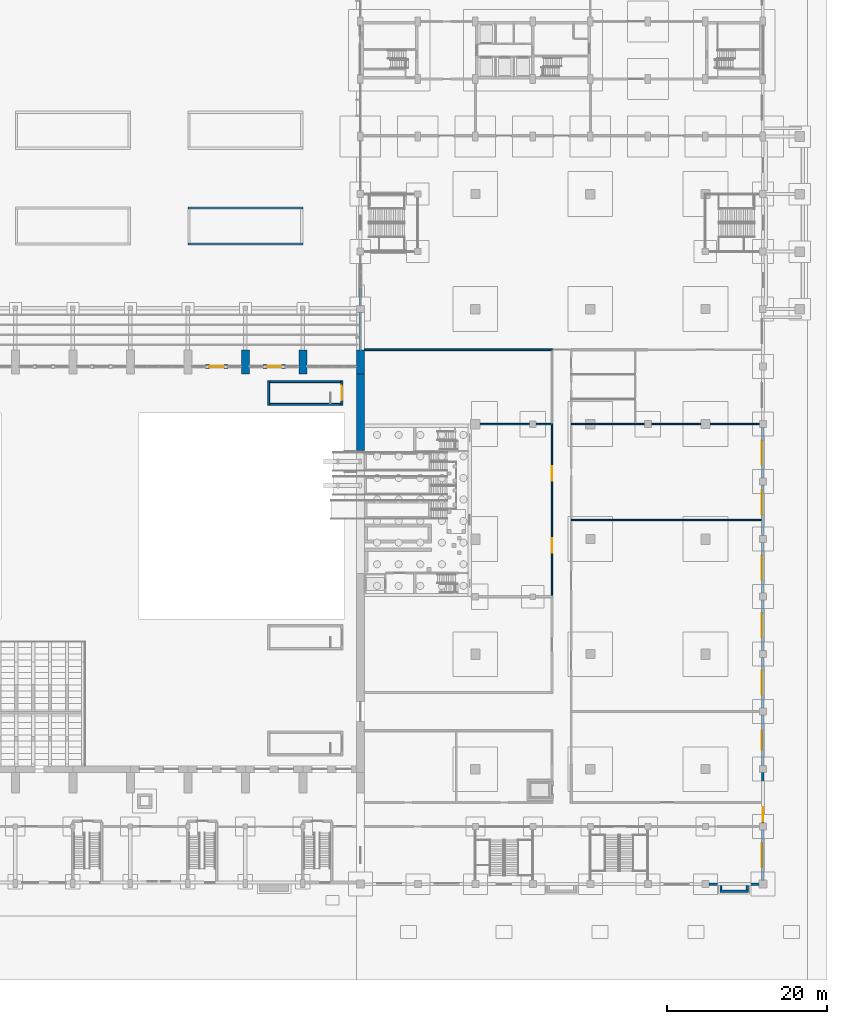
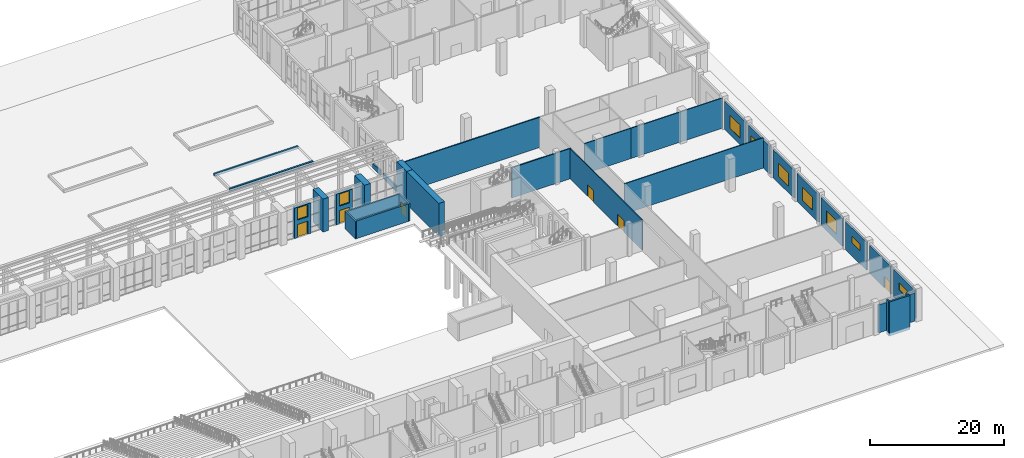
# One storey, part 50 of 70: 32 walls, 9 windows, 6 doors, 15 openings.
"""IFC4 building model written with IfcOpenShell, lengths in metres."""

from ifc_helpers import new_model, si_unit, direction, frame, frame_2d, origin, place, context, subcontext, project, spatial, rectangle, extrude, material, layer, layer_set, type_object, element, fill, save


model = new_model("IFC4")

# Units and contexts
model_context = context("Model", 3, precision=1e-05, world=origin(), true_north=direction((0.0, 1.0)))
body_context = subcontext(model_context, "Body", "Model", "MODEL_VIEW")
ifc_project = project(units=[si_unit("LENGTHUNIT", "METRE"), si_unit("AREAUNIT", "SQUARE_METRE"), si_unit("VOLUMEUNIT", "CUBIC_METRE"), si_unit("PLANEANGLEUNIT", "RADIAN"), si_unit("MASSUNIT", "GRAM", prefix="KILO")], contexts=[model_context])

# Site, building, storey
site_placement = place(None, origin())
site = spatial("IfcSite", under=ifc_project, at=site_placement, CompositionType="ELEMENT")
building_placement = place(site_placement, origin())
building = spatial("IfcBuilding", under=site, at=building_placement, Name="Vermilion Court Aquatics Centre", CompositionType="ELEMENT")
storey_placement = place(building_placement, origin())
storey = spatial("IfcBuildingStorey", under=building, at=storey_placement, Name="L00", CompositionType="ELEMENT", Elevation=0.0)

# Walls
ifc_material_1 = material(Name="Brick masonry", Category="masonry")
ifc_layer_1 = layer(ifc_material_1, 0.300048828125)
ifc_layer_set_1 = layer_set([ifc_layer_1], Name="Court planting kerb 300")
wall_type_1 = type_object("IfcWallType", Name="Court planting kerb 300", PredefinedType="SOLIDWALL", material=ifc_layer_set_1)
for number, where, z_axis, x_axis, name in (
    (1, (122.39990234375, 80.14990234375, 0.0), (0.0, 0.0, 1.0), (1.0, 0.0, 0.0), "Planting bed 4 kerb"),
    (2, (122.39990234375, 84.64990234375, 0.0), (0.0, 0.0, 1.0), (1.0, 0.0, 0.0), "Planting bed 4 kerb"),
):
    element("IfcWall", number, at=place(storey_placement, frame(where, z_axis=z_axis, x_axis=x_axis)), inside=storey, type_object=wall_type_1, Name=name, PredefinedType="SOLIDWALL", context=body_context, shape_type="SweptSolid", body=[
        extrude(rectangle(XDim=14.400146484375, YDim=0.300048828125, at=frame_2d((7.2001953125, 0.0))), origin(), (0.0, 0.0, 1.0), 0.449951171875),
    ])

# Wall, openings, door, window
ifc_material_2 = material(Name="Brick masonry", Category="masonry")
ifc_layer_2 = layer(ifc_material_2, 0.5)
ifc_layer_set_2 = layer_set([ifc_layer_2], Name="Envelope brick north wall 500")
wall_type_2 = type_object("IfcWallType", Name="Envelope brick north wall 500", PredefinedType="SOLIDWALL", material=ifc_layer_set_2)
wall_1_placement = place(storey_placement, frame((124.60009765625, 64.800048828125, 0.0), z_axis=(0.0, 0.0, 1.0), x_axis=(1.0, 0.0, 0.0)))
wall_1 = element("IfcWall", 3, at=wall_1_placement, inside=storey, type_object=wall_type_2, Name="North wall bay 16 L00", PredefinedType="SOLIDWALL", context=body_context, shape_type="SweptSolid", body=[
    extrude(rectangle(XDim=2.7998046875, YDim=0.5, at=frame_2d((1.39990234375, 0.0))), origin(), (0.0, 0.0, 1.0), 5.550048828125),
])
opening_1_placement = place(wall_1_placement, frame((0.5, 0.0, 0.0)))
opening_1 = element("IfcOpeningElement", 4, at=opening_1_placement, cuts=wall_1, Name="Opening E00-013", PredefinedType="OPENING", context=body_context, shape_type="SweptSolid", body=[
    extrude(rectangle(XDim=1.800048828125, YDim=2.39990234375, at=frame_2d((0.89990234375, 1.199951171875))), frame((0.0, 0.260009765625, 0.0), z_axis=(0.0, -1.0, 0.0), x_axis=(1.0, 0.0, 0.0)), (0.0, 0.0, 1.0), 0.52001953125),
])
opening_2_placement = place(wall_1_placement, frame((0.5, 0.0, 3.199951171875)))
opening_2 = element("IfcOpeningElement", 5, at=opening_2_placement, cuts=wall_1, Name="Opening EF1", PredefinedType="OPENING", context=body_context, shape_type="SweptSolid", body=[
    extrude(rectangle(XDim=1.800048828125, YDim=2.199951171875, at=frame_2d((0.89990234375, 1.10009765625))), frame((0.0, 0.260009765625, 0.0), z_axis=(0.0, -1.0, 0.0), x_axis=(1.0, 0.0, 0.0)), (0.0, 0.0, 1.0), 0.52001953125),
])
ifc_material_3 = material(Name="Hollow metal")
door_type_1 = type_object("IfcDoorType", Name="Envelope exit door pair 1800x2400", OperationType="DOUBLE_DOOR_SINGLE_SWING", PredefinedType="DOOR", material=ifc_material_3)
door_1_placement = place(opening_1_placement, origin())
door_1 = element("IfcDoor", 6, at=door_1_placement, inside=storey, type_object=door_type_1, Name="Exit door E00-013", OperationType="DOUBLE_DOOR_SINGLE_SWING", OverallHeight=2.39990234375, OverallWidth=1.800048828125, PredefinedType="DOOR", context=body_context, shape_type="SweptSolid", body=[
    extrude(rectangle(XDim=1.800048828125, YDim=2.39990234375, at=frame_2d((0.89990234375, 1.199951171875))), frame((0.0, 0.02490234375, 0.0), z_axis=(0.0, -1.0, 0.0), x_axis=(1.0, 0.0, 0.0)), (0.0, 0.0, 1.0), 0.050048828125),
])
fill(opening_1, door_1)
ifc_material_4 = material(Name="Aluminium 6063-T5", Category="aluminium")
window_type_1 = type_object("IfcWindowType", Name="Envelope exit fanlight 1800x2200", PartitioningType="SINGLE_PANEL", PredefinedType="WINDOW", material=ifc_material_4)
window_1_placement = place(opening_2_placement, origin())
window_1 = element("IfcWindow", 7, at=window_1_placement, inside=storey, type_object=window_type_1, Name="Exit fanlight bay 16", OverallHeight=2.199951171875, OverallWidth=1.800048828125, PartitioningType="SINGLE_PANEL", PredefinedType="WINDOW", context=body_context, shape_type="SweptSolid", body=[
    extrude(rectangle(XDim=1.800048828125, YDim=2.199951171875, at=frame_2d((0.89990234375, 1.10009765625))), frame((0.0, 0.030029296875, 0.0), z_axis=(0.0, -1.0, 0.0), x_axis=(1.0, 0.0, 0.0)), (0.0, 0.0, 1.0), 0.06005859375),
])
fill(opening_2, window_1)

wall_2_placement = place(storey_placement, frame((131.800048828125, 64.800048828125, 0.0), z_axis=(0.0, 0.0, 1.0), x_axis=(1.0, 0.0, 0.0)))
wall_2 = element("IfcWall", 8, at=wall_2_placement, inside=storey, type_object=wall_type_2, Name="North wall bay 17 L00", PredefinedType="SOLIDWALL", context=body_context, shape_type="SweptSolid", body=[
    extrude(rectangle(XDim=2.800048828125, YDim=0.5, at=frame_2d((1.39990234375, 0.0))), origin(), (0.0, 0.0, 1.0), 5.550048828125),
])
opening_3_placement = place(wall_2_placement, frame((0.5, 0.0, 0.0)))
opening_3 = element("IfcOpeningElement", 9, at=opening_3_placement, cuts=wall_2, Name="Opening E00-014", PredefinedType="OPENING", context=body_context, shape_type="SweptSolid", body=[
    extrude(rectangle(XDim=1.800048828125, YDim=2.39990234375, at=frame_2d((0.89990234375, 1.199951171875))), frame((0.0, 0.260009765625, 0.0), z_axis=(0.0, -1.0, 0.0), x_axis=(1.0, 0.0, 0.0)), (0.0, 0.0, 1.0), 0.52001953125),
])
opening_4_placement = place(wall_2_placement, frame((0.5, 0.0, 3.199951171875)))
opening_4 = element("IfcOpeningElement", 10, at=opening_4_placement, cuts=wall_2, Name="Opening EF1", PredefinedType="OPENING", context=body_context, shape_type="SweptSolid", body=[
    extrude(rectangle(XDim=1.800048828125, YDim=2.199951171875, at=frame_2d((0.89990234375, 1.10009765625))), frame((0.0, 0.260009765625, 0.0), z_axis=(0.0, -1.0, 0.0), x_axis=(1.0, 0.0, 0.0)), (0.0, 0.0, 1.0), 0.52001953125),
])
door_2_placement = place(opening_3_placement, origin())
door_2 = element("IfcDoor", 11, at=door_2_placement, inside=storey, type_object=door_type_1, Name="Exit door E00-014", OperationType="DOUBLE_DOOR_SINGLE_SWING", OverallHeight=2.39990234375, OverallWidth=1.800048828125, PredefinedType="DOOR", context=body_context, shape_type="SweptSolid", body=[
    extrude(rectangle(XDim=1.800048828125, YDim=2.39990234375, at=frame_2d((0.89990234375, 1.199951171875))), frame((0.0, 0.02490234375, 0.0), z_axis=(0.0, -1.0, 0.0), x_axis=(1.0, 0.0, 0.0)), (0.0, 0.0, 1.0), 0.050048828125),
])
fill(opening_3, door_2)
window_2_placement = place(opening_4_placement, origin())
window_2 = element("IfcWindow", 12, at=window_2_placement, inside=storey, type_object=window_type_1, Name="Exit fanlight bay 17", OverallHeight=2.199951171875, OverallWidth=1.800048828125, PartitioningType="SINGLE_PANEL", PredefinedType="WINDOW", context=body_context, shape_type="SweptSolid", body=[
    extrude(rectangle(XDim=1.800048828125, YDim=2.199951171875, at=frame_2d((0.89990234375, 1.10009765625))), frame((0.0, 0.030029296875, 0.0), z_axis=(0.0, -1.0, 0.0), x_axis=(1.0, 0.0, 0.0)), (0.0, 0.0, 1.0), 0.06005859375),
])
fill(opening_4, window_2)

# Walls
ifc_material_5 = material(Name="Concrete 5000 psi", Category="concrete")
ifc_layer_3 = layer(ifc_material_5, 1.0)
ifc_layer_set_3 = layer_set([ifc_layer_3], Name="Envelope east gable separation wall 1000")
wall_type_3 = type_object("IfcWallType", Name="Envelope east gable separation wall 1000", PredefinedType="SOLIDWALL", material=ifc_layer_set_3)
wall_3_placement = place(storey_placement, frame((144.0, 54.300048828125, 0.0), z_axis=(0.0, 0.0, 1.0), x_axis=(0.0, 1.0, 0.0)))
element("IfcWall", 13, at=wall_3_placement, inside=storey, type_object=wall_type_3, Name="Gable wall east L00 north jamb", PredefinedType="SOLIDWALL", context=body_context, shape_type="SweptSolid", body=[
    extrude(rectangle(XDim=9.599853515625, YDim=1.0, at=frame_2d((4.7998046875, 0.0))), origin(), (0.0, 0.0, 1.0), 6.0),
])
ifc_material_6 = material(Name="Concrete 5000 psi", Category="concrete")
ifc_layer_4 = layer(ifc_material_6, 0.25)
ifc_layer_set_4 = layer_set([ifc_layer_4], Name="Hall stair enclosure wall 250")
wall_type_4 = type_object("IfcWallType", Name="Hall stair enclosure wall 250", PredefinedType="SOLIDWALL", material=ifc_layer_set_4)
wall_4_placement = place(storey_placement, frame((132.52490234375, 59.949951171875, 0.0), z_axis=(0.0, 0.0, 1.0), x_axis=(0.0, 1.0, 0.0)))
element("IfcWall", 14, at=wall_4_placement, inside=storey, type_object=wall_type_4, Name="Stair lobby 6 wall", PredefinedType="SOLIDWALL", context=body_context, shape_type="SweptSolid", body=[
    extrude(rectangle(XDim=3.10009765625, YDim=0.25, at=frame_2d((1.550048828125, 0.0))), origin(), (0.0, 0.0, 1.0), 3.199951171875),
])

# Wall, opening, door
wall_5_placement = place(storey_placement, frame((141.675048828125, 59.949951171875, 0.0), z_axis=(0.0, 0.0, 1.0), x_axis=(0.0, 1.0, 0.0)))
wall_5 = element("IfcWall", 15, at=wall_5_placement, inside=storey, type_object=wall_type_4, Name="Stair lobby 6 wall", PredefinedType="SOLIDWALL", context=body_context, shape_type="SweptSolid", body=[
    extrude(rectangle(XDim=3.10009765625, YDim=0.25, at=frame_2d((1.550048828125, 0.0))), origin(), (0.0, 0.0, 1.0), 3.199951171875),
])
opening_5_placement = place(wall_5_placement, frame((0.64990234375, 0.0, 0.0)))
opening_5 = element("IfcOpeningElement", 16, at=opening_5_placement, cuts=wall_5, Name="Opening H00-009", PredefinedType="OPENING", context=body_context, shape_type="SweptSolid", body=[
    extrude(rectangle(XDim=1.800048828125, YDim=2.10009765625, at=frame_2d((0.89990234375, 1.050048828125))), frame((0.0, 0.135009765625, 0.0), z_axis=(0.0, -1.0, 0.0), x_axis=(1.0, 0.0, 0.0)), (0.0, 0.0, 1.0), 0.27001953125),
])
ifc_material_7 = material(Name="Hollow metal")
door_type_2 = type_object("IfcDoorType", Name="Hall double door 1800x2100", OperationType="DOUBLE_DOOR_SINGLE_SWING", PredefinedType="DOOR", material=ifc_material_7)
door_3_placement = place(opening_5_placement, origin())
door_3 = element("IfcDoor", 17, at=door_3_placement, inside=storey, type_object=door_type_2, Name="Door from stair lobby 6 to the deck", OperationType="DOUBLE_DOOR_SINGLE_SWING", OverallHeight=2.10009765625, OverallWidth=1.800048828125, PredefinedType="DOOR", context=body_context, shape_type="SweptSolid", body=[
    extrude(rectangle(XDim=1.800048828125, YDim=2.10009765625, at=frame_2d((0.89990234375, 1.050048828125))), frame((0.0, 0.02490234375, 0.0), z_axis=(0.0, -1.0, 0.0), x_axis=(1.0, 0.0, 0.0)), (0.0, 0.0, 1.0), 0.050048828125),
])
fill(opening_5, door_3)

# Walls
for number, where, z_axis, x_axis, name in (
    (18, (132.64990234375, 60.074951171875, 0.0), (0.0, 0.0, 1.0), (1.0, 0.0, 0.0), "Stair lobby 6 wall"),
    (19, (132.64990234375, 62.925048828125, 0.0), (0.0, 0.0, 1.0), (1.0, 0.0, 0.0), "Stair lobby 6 wall"),
):
    element("IfcWall", number, at=place(storey_placement, frame(where, z_axis=z_axis, x_axis=x_axis)), inside=storey, type_object=wall_type_4, Name=name, PredefinedType="SOLIDWALL", context=body_context, shape_type="SweptSolid", body=[
        extrude(rectangle(XDim=8.900146484375, YDim=0.25, at=frame_2d((4.4501953125, 0.0))), origin(), (0.0, 0.0, 1.0), 3.199951171875),
    ])

# Wall, openings, doors
ifc_material_8 = material(Name="Concrete masonry ASTM C90 Type I", Category="masonry")
ifc_layer_5 = layer(ifc_material_8, 0.175048828125)
ifc_layer_set_5 = layer_set([ifc_layer_5], Name="Podium corridor wall 175, 1 hr")
wall_type_5 = type_object("IfcWallType", Name="Podium corridor wall 175, 1 hr", PredefinedType="PARTITIONING", material=ifc_layer_set_5)
wall_6_placement = place(storey_placement, frame((168.0, 36.112548828125, 0.0), z_axis=(0.0, 0.0, 1.0), x_axis=(0.0, 1.0, 0.0)))
wall_6 = element("IfcWall", 20, at=wall_6_placement, inside=storey, type_object=wall_type_5, Name="Corridor wall", PredefinedType="PARTITIONING", context=body_context, shape_type="SweptSolid", body=[
    extrude(rectangle(XDim=21.387451171875, YDim=0.175048828125, at=frame_2d((10.69384765625, 0.0))), origin(), (0.0, 0.0, 1.0), 5.5),
])
opening_6_placement = place(wall_6_placement, frame((5.387451171875, 0.0, 0.0)))
opening_6 = element("IfcOpeningElement", 21, at=opening_6_placement, cuts=wall_6, Name="Opening P00-011", PredefinedType="OPENING", context=body_context, shape_type="SweptSolid", body=[
    extrude(rectangle(XDim=1.800048828125, YDim=2.10009765625, at=frame_2d((0.89990234375, 1.050048828125))), frame((0.0, 0.097412109375, 0.0), z_axis=(0.0, -1.0, 0.0), x_axis=(1.0, 0.0, 0.0)), (0.0, 0.0, 1.0), 0.195068359375),
])
opening_7_placement = place(wall_6_placement, frame((14.387451171875, 0.0, 0.0)))
opening_7 = element("IfcOpeningElement", 22, at=opening_7_placement, cuts=wall_6, Name="Opening P00-012", PredefinedType="OPENING", context=body_context, shape_type="SweptSolid", body=[
    extrude(rectangle(XDim=1.800048828125, YDim=2.10009765625, at=frame_2d((0.89990234375, 1.050048828125))), frame((0.0, 0.097412109375, 0.0), z_axis=(0.0, -1.0, 0.0), x_axis=(1.0, 0.0, 0.0)), (0.0, 0.0, 1.0), 0.195068359375),
])
ifc_material_9 = material(Name="Hollow metal")
door_type_3 = type_object("IfcDoorType", Name="Podium fire door pair 1800x2100, 60 min", OperationType="DOUBLE_DOOR_SINGLE_SWING", PredefinedType="DOOR", material=ifc_material_9)
door_4_placement = place(opening_6_placement, frame((1.800048828125, 0.0, 0.0), z_axis=(0.0, 0.0, 1.0), x_axis=(-1.0, 0.0, 0.0)))
door_4 = element("IfcDoor", 23, at=door_4_placement, inside=storey, type_object=door_type_3, Name="Door", OperationType="DOUBLE_DOOR_SINGLE_SWING", OverallHeight=2.10009765625, OverallWidth=1.800048828125, PredefinedType="DOOR", context=body_context, shape_type="SweptSolid", body=[
    extrude(rectangle(XDim=1.800048828125, YDim=2.10009765625, at=frame_2d((0.900146484375, 1.050048828125))), frame((0.0, 0.025146484375, 0.0), z_axis=(0.0, -1.0, 0.0), x_axis=(1.0, 0.0, 0.0)), (0.0, 0.0, 1.0), 0.050048828125),
])
fill(opening_6, door_4)
door_5_placement = place(opening_7_placement, frame((1.800048828125, 0.0, 0.0), z_axis=(0.0, 0.0, 1.0), x_axis=(-1.0, 0.0, 0.0)))
door_5 = element("IfcDoor", 24, at=door_5_placement, inside=storey, type_object=door_type_3, Name="Door", OperationType="DOUBLE_DOOR_SINGLE_SWING", OverallHeight=2.10009765625, OverallWidth=1.800048828125, PredefinedType="DOOR", context=body_context, shape_type="SweptSolid", body=[
    extrude(rectangle(XDim=1.800048828125, YDim=2.10009765625, at=frame_2d((0.900146484375, 1.050048828125))), frame((0.0, 0.025146484375, 0.0), z_axis=(0.0, -1.0, 0.0), x_axis=(1.0, 0.0, 0.0)), (0.0, 0.0, 1.0), 0.050048828125),
])
fill(opening_7, door_5)

# Wall
ifc_material_10 = material(Name="Brick masonry", Category="masonry")
ifc_layer_6 = layer(ifc_material_10, 0.300048828125)
ifc_layer_set_6 = layer_set([ifc_layer_6], Name="Podium facade brick wall 300")
wall_type_6 = type_object("IfcWallType", Name="Podium facade brick wall 300", PredefinedType="SOLIDWALL", material=ifc_layer_set_6)
wall_7_placement = place(storey_placement, frame((187.64990234375, 0.0, 0.0), z_axis=(0.0, 0.0, 1.0), x_axis=(1.0, 0.0, 0.0)))
element("IfcWall", 25, at=wall_7_placement, inside=storey, type_object=wall_type_6, Name="Facade wall L00", PredefinedType="SOLIDWALL", context=body_context, shape_type="SweptSolid", body=[
    extrude(rectangle(XDim=6.300048828125, YDim=0.300048828125, at=frame_2d((3.14990234375, 0.0))), origin(), (0.0, 0.0, 1.0), 5.10009765625),
])

# Wall, opening, window
wall_8_placement = place(storey_placement, frame((194.39990234375, 0.449951171875, 0.0), z_axis=(0.0, 0.0, 1.0), x_axis=(0.0, 1.0, 0.0)))
wall_8 = element("IfcWall", 26, at=wall_8_placement, inside=storey, type_object=wall_type_6, Name="Facade wall L00", PredefinedType="SOLIDWALL", context=body_context, shape_type="SweptSolid", body=[
    extrude(rectangle(XDim=6.300048828125, YDim=0.300048828125, at=frame_2d((3.14990234375, 0.0))), origin(), (0.0, 0.0, 1.0), 5.10009765625),
])
opening_8_placement = place(wall_8_placement, frame((1.64990234375, 0.0, 2.39990234375)))
opening_8 = element("IfcOpeningElement", 27, at=opening_8_placement, cuts=wall_8, Name="Opening PN8", PredefinedType="OPENING", context=body_context, shape_type="SweptSolid", body=[
    extrude(rectangle(XDim=3.0, YDim=1.199951171875, at=frame_2d((1.5, 0.60009765625))), frame((0.0, 0.159912109375, 0.0), z_axis=(0.0, -1.0, 0.0), x_axis=(1.0, 0.0, 0.0)), (0.0, 0.0, 1.0), 0.320068359375),
])
ifc_material_11 = material(Name="Aluminium 6063-T5", Category="aluminium")
window_type_2 = type_object("IfcWindowType", Name="Podium window 3000x1200", PartitioningType="DOUBLE_PANEL_VERTICAL", PredefinedType="WINDOW", material=ifc_material_11)
window_3_placement = place(opening_8_placement, origin())
window_3 = element("IfcWindow", 28, at=window_3_placement, inside=storey, type_object=window_type_2, Name="Window L00", OverallHeight=1.199951171875, OverallWidth=3.0, PartitioningType="DOUBLE_PANEL_VERTICAL", PredefinedType="WINDOW", context=body_context, shape_type="SweptSolid", body=[
    extrude(rectangle(XDim=3.0, YDim=1.199951171875, at=frame_2d((1.5, 0.60009765625))), frame((0.0, 0.1201171875, 0.0), z_axis=(0.0, -1.0, 0.0), x_axis=(1.0, 0.0, 0.0)), (0.0, 0.0, 1.0), 0.06005859375),
])
fill(opening_8, window_3)

# Wall, opening, door
wall_9_placement = place(storey_placement, frame((194.39990234375, 7.64990234375, 0.0), z_axis=(0.0, 0.0, 1.0), x_axis=(0.0, 1.0, 0.0)))
wall_9 = element("IfcWall", 29, at=wall_9_placement, inside=storey, type_object=wall_type_6, Name="Facade wall L00", PredefinedType="SOLIDWALL", context=body_context, shape_type="SweptSolid", body=[
    extrude(rectangle(XDim=6.300048828125, YDim=0.300048828125, at=frame_2d((3.14990234375, 0.0))), origin(), (0.0, 0.0, 1.0), 5.10009765625),
])
opening_9_placement = place(wall_9_placement, frame((0.14990234375, 0.0, 0.0)))
opening_9 = element("IfcOpeningElement", 30, at=opening_9_placement, cuts=wall_9, Name="Opening WX4", PredefinedType="OPENING", context=body_context, shape_type="SweptSolid", body=[
    extrude(rectangle(XDim=1.800048828125, YDim=2.10009765625, at=frame_2d((0.89990234375, 1.050048828125))), frame((0.0, 0.159912109375, 0.0), z_axis=(0.0, -1.0, 0.0), x_axis=(1.0, 0.0, 0.0)), (0.0, 0.0, 1.0), 0.320068359375),
])
ifc_material_12 = material(Name="Hollow metal")
door_type_4 = type_object("IfcDoorType", Name="Podium exit door pair 1800x2100", OperationType="DOUBLE_DOOR_SINGLE_SWING", PredefinedType="DOOR", material=ifc_material_12)
door_6_placement = place(opening_9_placement, frame((1.800048828125, 0.0, 0.0), z_axis=(0.0, 0.0, 1.0), x_axis=(-1.0, 0.0, 0.0)))
door_6 = element("IfcDoor", 31, at=door_6_placement, inside=storey, type_object=door_type_4, Name="Exit door WX4", OperationType="DOUBLE_DOOR_SINGLE_SWING", OverallHeight=2.10009765625, OverallWidth=1.800048828125, PredefinedType="DOOR", context=body_context, shape_type="SweptSolid", body=[
    extrude(rectangle(XDim=1.800048828125, YDim=2.10009765625, at=frame_2d((0.900146484375, 1.050048828125))), frame((0.0, 0.025146484375, 0.0), z_axis=(0.0, -1.0, 0.0), x_axis=(1.0, 0.0, 0.0)), (0.0, 0.0, 1.0), 0.050048828125),
])
fill(opening_9, door_6)

# Wall, opening, window
wall_10_placement = place(storey_placement, frame((194.39990234375, 14.85009765625, 0.0), z_axis=(0.0, 0.0, 1.0), x_axis=(0.0, 1.0, 0.0)))
wall_10 = element("IfcWall", 32, at=wall_10_placement, inside=storey, type_object=wall_type_6, Name="Facade wall L00", PredefinedType="SOLIDWALL", context=body_context, shape_type="SweptSolid", body=[
    extrude(rectangle(XDim=6.2998046875, YDim=0.300048828125, at=frame_2d((3.14990234375, 0.0))), origin(), (0.0, 0.0, 1.0), 5.10009765625),
])
opening_10_placement = place(wall_10_placement, frame((1.949951171875, 0.0, 2.39990234375)))
opening_10 = element("IfcOpeningElement", 33, at=opening_10_placement, cuts=wall_10, Name="Opening PN7", PredefinedType="OPENING", context=body_context, shape_type="SweptSolid", body=[
    extrude(rectangle(XDim=2.39990234375, YDim=1.199951171875, at=frame_2d((1.199951171875, 0.60009765625))), frame((0.0, 0.159912109375, 0.0), z_axis=(0.0, -1.0, 0.0), x_axis=(1.0, 0.0, 0.0)), (0.0, 0.0, 1.0), 0.320068359375),
])
ifc_material_13 = material(Name="Aluminium 6063-T5", Category="aluminium")
window_type_3 = type_object("IfcWindowType", Name="Podium window 2400x1200", PartitioningType="DOUBLE_PANEL_VERTICAL", PredefinedType="WINDOW", material=ifc_material_13)
window_4_placement = place(opening_10_placement, origin())
window_4 = element("IfcWindow", 34, at=window_4_placement, inside=storey, type_object=window_type_3, Name="Window L00", OverallHeight=1.199951171875, OverallWidth=2.39990234375, PartitioningType="DOUBLE_PANEL_VERTICAL", PredefinedType="WINDOW", context=body_context, shape_type="SweptSolid", body=[
    extrude(rectangle(XDim=2.39990234375, YDim=1.199951171875, at=frame_2d((1.199951171875, 0.60009765625))), frame((0.0, 0.1201171875, 0.0), z_axis=(0.0, -1.0, 0.0), x_axis=(1.0, 0.0, 0.0)), (0.0, 0.0, 1.0), 0.06005859375),
])
fill(opening_10, window_4)

wall_11_placement = place(storey_placement, frame((194.39990234375, 22.050048828125, 0.0), z_axis=(0.0, 0.0, 1.0), x_axis=(0.0, 1.0, 0.0)))
wall_11 = element("IfcWall", 35, at=wall_11_placement, inside=storey, type_object=wall_type_6, Name="Facade wall L00", PredefinedType="SOLIDWALL", context=body_context, shape_type="SweptSolid", body=[
    extrude(rectangle(XDim=6.300048828125, YDim=0.300048828125, at=frame_2d((3.14990234375, 0.0))), origin(), (0.0, 0.0, 1.0), 5.10009765625),
])
opening_11_placement = place(wall_11_placement, frame((1.64990234375, 0.0, 1.199951171875)))
opening_11 = element("IfcOpeningElement", 36, at=opening_11_placement, cuts=wall_11, Name="Opening PN1", PredefinedType="OPENING", context=body_context, shape_type="SweptSolid", body=[
    extrude(rectangle(XDim=3.0, YDim=2.39990234375, at=frame_2d((1.5, 1.199951171875))), frame((0.0, 0.159912109375, 0.0), z_axis=(0.0, -1.0, 0.0), x_axis=(1.0, 0.0, 0.0)), (0.0, 0.0, 1.0), 0.320068359375),
])
ifc_material_14 = material(Name="Aluminium 6063-T5", Category="aluminium")
window_type_4 = type_object("IfcWindowType", Name="Podium window 3000x2400", PartitioningType="DOUBLE_PANEL_VERTICAL", PredefinedType="WINDOW", material=ifc_material_14)
window_5_placement = place(opening_11_placement, origin())
window_5 = element("IfcWindow", 37, at=window_5_placement, inside=storey, type_object=window_type_4, Name="Window L00", OverallHeight=2.39990234375, OverallWidth=3.0, PartitioningType="DOUBLE_PANEL_VERTICAL", PredefinedType="WINDOW", context=body_context, shape_type="SweptSolid", body=[
    extrude(rectangle(XDim=3.0, YDim=2.39990234375, at=frame_2d((1.5, 1.199951171875))), frame((0.0, 0.1201171875, 0.0), z_axis=(0.0, -1.0, 0.0), x_axis=(1.0, 0.0, 0.0)), (0.0, 0.0, 1.0), 0.06005859375),
])
fill(opening_11, window_5)

wall_12_placement = place(storey_placement, frame((194.39990234375, 29.25, 0.0), z_axis=(0.0, 0.0, 1.0), x_axis=(0.0, 1.0, 0.0)))
wall_12 = element("IfcWall", 38, at=wall_12_placement, inside=storey, type_object=wall_type_6, Name="Facade wall L00", PredefinedType="SOLIDWALL", context=body_context, shape_type="SweptSolid", body=[
    extrude(rectangle(XDim=6.300048828125, YDim=0.300048828125, at=frame_2d((3.14990234375, 0.0))), origin(), (0.0, 0.0, 1.0), 5.10009765625),
])
opening_12_placement = place(wall_12_placement, frame((1.64990234375, 0.0, 1.199951171875)))
opening_12 = element("IfcOpeningElement", 39, at=opening_12_placement, cuts=wall_12, Name="Opening PN1", PredefinedType="OPENING", context=body_context, shape_type="SweptSolid", body=[
    extrude(rectangle(XDim=3.0, YDim=2.39990234375, at=frame_2d((1.5, 1.199951171875))), frame((0.0, 0.159912109375, 0.0), z_axis=(0.0, -1.0, 0.0), x_axis=(1.0, 0.0, 0.0)), (0.0, 0.0, 1.0), 0.320068359375),
])
window_6_placement = place(opening_12_placement, origin())
window_6 = element("IfcWindow", 40, at=window_6_placement, inside=storey, type_object=window_type_4, Name="Window L00", OverallHeight=2.39990234375, OverallWidth=3.0, PartitioningType="DOUBLE_PANEL_VERTICAL", PredefinedType="WINDOW", context=body_context, shape_type="SweptSolid", body=[
    extrude(rectangle(XDim=3.0, YDim=2.39990234375, at=frame_2d((1.5, 1.199951171875))), frame((0.0, 0.1201171875, 0.0), z_axis=(0.0, -1.0, 0.0), x_axis=(1.0, 0.0, 0.0)), (0.0, 0.0, 1.0), 0.06005859375),
])
fill(opening_12, window_6)

wall_13_placement = place(storey_placement, frame((194.39990234375, 36.449951171875, 0.0), z_axis=(0.0, 0.0, 1.0), x_axis=(0.0, 1.0, 0.0)))
wall_13 = element("IfcWall", 41, at=wall_13_placement, inside=storey, type_object=wall_type_6, Name="Facade wall L00", PredefinedType="SOLIDWALL", context=body_context, shape_type="SweptSolid", body=[
    extrude(rectangle(XDim=6.300048828125, YDim=0.300048828125, at=frame_2d((3.14990234375, 0.0))), origin(), (0.0, 0.0, 1.0), 5.10009765625),
])
opening_13_placement = place(wall_13_placement, frame((1.64990234375, 0.0, 1.199951171875)))
opening_13 = element("IfcOpeningElement", 42, at=opening_13_placement, cuts=wall_13, Name="Opening PN1", PredefinedType="OPENING", context=body_context, shape_type="SweptSolid", body=[
    extrude(rectangle(XDim=3.0, YDim=2.39990234375, at=frame_2d((1.5, 1.199951171875))), frame((0.0, 0.159912109375, 0.0), z_axis=(0.0, -1.0, 0.0), x_axis=(1.0, 0.0, 0.0)), (0.0, 0.0, 1.0), 0.320068359375),
])
window_7_placement = place(opening_13_placement, origin())
window_7 = element("IfcWindow", 43, at=window_7_placement, inside=storey, type_object=window_type_4, Name="Window L00", OverallHeight=2.39990234375, OverallWidth=3.0, PartitioningType="DOUBLE_PANEL_VERTICAL", PredefinedType="WINDOW", context=body_context, shape_type="SweptSolid", body=[
    extrude(rectangle(XDim=3.0, YDim=2.39990234375, at=frame_2d((1.5, 1.199951171875))), frame((0.0, 0.1201171875, 0.0), z_axis=(0.0, -1.0, 0.0), x_axis=(1.0, 0.0, 0.0)), (0.0, 0.0, 1.0), 0.06005859375),
])
fill(opening_13, window_7)

wall_14_placement = place(storey_placement, frame((194.39990234375, 43.64990234375, 0.0), z_axis=(0.0, 0.0, 1.0), x_axis=(0.0, 1.0, 0.0)))
wall_14 = element("IfcWall", 44, at=wall_14_placement, inside=storey, type_object=wall_type_6, Name="Facade wall L00", PredefinedType="SOLIDWALL", context=body_context, shape_type="SweptSolid", body=[
    extrude(rectangle(XDim=6.300048828125, YDim=0.300048828125, at=frame_2d((3.14990234375, 0.0))), origin(), (0.0, 0.0, 1.0), 5.10009765625),
])
opening_14_placement = place(wall_14_placement, frame((2.625, 0.0, 1.199951171875)))
opening_14 = element("IfcOpeningElement", 45, at=opening_14_placement, cuts=wall_14, Name="Opening PN1", PredefinedType="OPENING", context=body_context, shape_type="SweptSolid", body=[
    extrude(rectangle(XDim=3.0, YDim=2.39990234375, at=frame_2d((1.5, 1.199951171875))), frame((0.0, 0.159912109375, 0.0), z_axis=(0.0, -1.0, 0.0), x_axis=(1.0, 0.0, 0.0)), (0.0, 0.0, 1.0), 0.320068359375),
])
window_8_placement = place(opening_14_placement, origin())
window_8 = element("IfcWindow", 46, at=window_8_placement, inside=storey, type_object=window_type_4, Name="Window L00", OverallHeight=2.39990234375, OverallWidth=3.0, PartitioningType="DOUBLE_PANEL_VERTICAL", PredefinedType="WINDOW", context=body_context, shape_type="SweptSolid", body=[
    extrude(rectangle(XDim=3.0, YDim=2.39990234375, at=frame_2d((1.5, 1.199951171875))), frame((0.0, 0.1201171875, 0.0), z_axis=(0.0, -1.0, 0.0), x_axis=(1.0, 0.0, 0.0)), (0.0, 0.0, 1.0), 0.06005859375),
])
fill(opening_14, window_8)

wall_15_placement = place(storey_placement, frame((194.39990234375, 50.85009765625, 0.0), z_axis=(0.0, 0.0, 1.0), x_axis=(0.0, 1.0, 0.0)))
wall_15 = element("IfcWall", 47, at=wall_15_placement, inside=storey, type_object=wall_type_6, Name="Facade wall L00", PredefinedType="SOLIDWALL", context=body_context, shape_type="SweptSolid", body=[
    extrude(rectangle(XDim=6.2998046875, YDim=0.300048828125, at=frame_2d((3.14990234375, 0.0))), origin(), (0.0, 0.0, 1.0), 5.10009765625),
])
opening_15_placement = place(wall_15_placement, frame((1.64990234375, 0.0, 1.199951171875)))
opening_15 = element("IfcOpeningElement", 48, at=opening_15_placement, cuts=wall_15, Name="Opening PN1", PredefinedType="OPENING", context=body_context, shape_type="SweptSolid", body=[
    extrude(rectangle(XDim=3.0, YDim=2.39990234375, at=frame_2d((1.5, 1.199951171875))), frame((0.0, 0.159912109375, 0.0), z_axis=(0.0, -1.0, 0.0), x_axis=(1.0, 0.0, 0.0)), (0.0, 0.0, 1.0), 0.320068359375),
])
window_9_placement = place(opening_15_placement, origin())
window_9 = element("IfcWindow", 49, at=window_9_placement, inside=storey, type_object=window_type_4, Name="Window L00", OverallHeight=2.39990234375, OverallWidth=3.0, PartitioningType="DOUBLE_PANEL_VERTICAL", PredefinedType="WINDOW", context=body_context, shape_type="SweptSolid", body=[
    extrude(rectangle(XDim=3.0, YDim=2.39990234375, at=frame_2d((1.5, 1.199951171875))), frame((0.0, 0.1201171875, 0.0), z_axis=(0.0, -1.0, 0.0), x_axis=(1.0, 0.0, 0.0)), (0.0, 0.0, 1.0), 0.06005859375),
])
fill(opening_15, window_9)

# Walls
wall_16_placement = place(storey_placement, frame((144.0, 66.89990234375, 0.0), z_axis=(0.0, 0.0, 1.0), x_axis=(0.0, 1.0, 0.0)))
element("IfcWall", 50, at=wall_16_placement, inside=storey, type_object=wall_type_6, Name="Facade sill wall L00", PredefinedType="SOLIDWALL", context=body_context, shape_type="SweptSolid", body=[
    extrude(rectangle(XDim=4.650146484375, YDim=0.300048828125, at=frame_2d((2.3251953125, 0.0))), origin(), (0.0, 0.0, 1.0), 0.89990234375),
])
wall_17_placement = place(storey_placement, frame((144.0, 72.449951171875, 0.0), z_axis=(0.0, 0.0, 1.0), x_axis=(0.0, 1.0, 0.0)))
element("IfcWall", 51, at=wall_17_placement, inside=storey, type_object=wall_type_6, Name="Facade sill wall L00", PredefinedType="SOLIDWALL", context=body_context, shape_type="SweptSolid", body=[
    extrude(rectangle(XDim=2.150146484375, YDim=0.300048828125, at=frame_2d((1.0751953125, 0.0))), origin(), (0.0, 0.0, 1.0), 0.89990234375),
])
ifc_material_15 = material(Name="Concrete masonry ASTM C90 Type I", Category="masonry")
ifc_layer_7 = layer(ifc_material_15, 0.199951171875)
ifc_layer_set_7 = layer_set([ifc_layer_7], Name="Podium fire-rated partition 200, 1 hr")
wall_type_7 = type_object("IfcWallType", Name="Podium fire-rated partition 200, 1 hr", PredefinedType="PARTITIONING", material=ifc_layer_set_7)
wall_18_placement = place(storey_placement, frame((144.5, 66.89990234375, 0.0), z_axis=(0.0, 0.0, 1.0), x_axis=(1.0, 0.0, 0.0)))
element("IfcWall", 52, at=wall_18_placement, inside=storey, type_object=wall_type_7, Name="Fire-rated partition", PredefinedType="PARTITIONING", context=body_context, shape_type="SweptSolid", body=[
    extrude(rectangle(XDim=23.58740234375, YDim=0.199951171875, at=frame_2d((11.793701171875, 0.0))), origin(), (0.0, 0.0, 1.0), 5.5),
])
wall_19_placement = place(storey_placement, frame((157.89990234375, 57.60009765625, 0.0), z_axis=(0.0, 0.0, 1.0), x_axis=(1.0, 0.0, 0.0)))
element("IfcWall", 53, at=wall_19_placement, inside=storey, type_object=wall_type_7, Name="Fire-rated partition", PredefinedType="PARTITIONING", context=body_context, shape_type="SweptSolid", body=[
    extrude(rectangle(XDim=10.1875, YDim=0.199951171875, at=frame_2d((5.09375, 0.0))), origin(), (0.0, 0.0, 1.0), 5.5),
])
ifc_material_16 = material(Name="Gypsum board")
ifc_layer_8 = layer(ifc_material_16, 0.14990234375)
ifc_layer_set_8 = layer_set([ifc_layer_8], Name="Podium partition wall 150")
wall_type_8 = type_object("IfcWallType", Name="Podium partition wall 150", PredefinedType="PARTITIONING", material=ifc_layer_set_8)
wall_20_placement = place(storey_placement, frame((170.39990234375, 57.60009765625, 0.0), z_axis=(0.0, 0.0, 1.0), x_axis=(1.0, 0.0, 0.0)))
element("IfcWall", 54, at=wall_20_placement, inside=storey, type_object=wall_type_8, Name="Partition", PredefinedType="PARTITIONING", context=body_context, shape_type="SweptSolid", body=[
    extrude(rectangle(XDim=8.0, YDim=0.14990234375, at=frame_2d((4.0, 0.0))), origin(), (0.0, 0.0, 1.0), 5.5),
])
wall_21_placement = place(storey_placement, frame((178.39990234375, 57.60009765625, 0.0), z_axis=(0.0, 0.0, 1.0), x_axis=(1.0, 0.0, 0.0)))
element("IfcWall", 55, at=wall_21_placement, inside=storey, type_object=wall_type_8, Name="Partition", PredefinedType="PARTITIONING", context=body_context, shape_type="SweptSolid", body=[
    extrude(rectangle(XDim=15.85009765625, YDim=0.14990234375, at=frame_2d((7.925048828125, 0.0))), origin(), (0.0, 0.0, 1.0), 5.5),
])
wall_22_placement = place(storey_placement, frame((170.39990234375, 45.60009765625, 0.0), z_axis=(0.0, 0.0, 1.0), x_axis=(1.0, 0.0, 0.0)))
element("IfcWall", 56, at=wall_22_placement, inside=storey, type_object=wall_type_8, Name="Partition", PredefinedType="PARTITIONING", context=body_context, shape_type="SweptSolid", body=[
    extrude(rectangle(XDim=23.85009765625, YDim=0.14990234375, at=frame_2d((11.925048828125, 0.0))), origin(), (0.0, 0.0, 1.0), 5.5),
])
ifc_material_17 = material(Name="Brick masonry", Category="masonry")
ifc_layer_9 = layer(ifc_material_17, 0.300048828125)
ifc_layer_set_9 = layer_set([ifc_layer_9], Name="Podium projecting bay wall 300")
wall_type_9 = type_object("IfcWallType", Name="Podium projecting bay wall 300", PredefinedType="SOLIDWALL", material=ifc_layer_set_9)
wall_23_placement = place(storey_placement, frame((189.0, -0.89990234375, -0.5), z_axis=(0.0, 0.0, 1.0), x_axis=(1.0, 0.0, 0.0)))
element("IfcWall", 57, at=wall_23_placement, inside=storey, type_object=wall_type_9, Name="Projecting bay front wall L00", PredefinedType="SOLIDWALL", context=body_context, shape_type="SweptSolid", body=[
    extrude(rectangle(XDim=3.60009765625, YDim=0.300048828125, at=frame_2d((1.800048828125, 0.0))), origin(), (0.0, 0.0, 1.0), 6.199951171875),
])
for number, where, z_axis, x_axis, name in (
    (58, (189.14990234375, -0.75, -0.5), (0.0, 0.0, 1.0), (0.0, 1.0, 0.0), "Projecting bay side wall L00"),
    (59, (192.449951171875, -0.75, -0.5), (0.0, 0.0, 1.0), (0.0, 1.0, 0.0), "Projecting bay side wall L00"),
):
    element("IfcWall", number, at=place(storey_placement, frame(where, z_axis=z_axis, x_axis=x_axis)), inside=storey, type_object=wall_type_9, Name=name, PredefinedType="SOLIDWALL", context=body_context, shape_type="SweptSolid", body=[
        extrude(rectangle(XDim=0.60009765625, YDim=0.300048828125, at=frame_2d((0.300048828125, 0.0))), origin(), (0.0, 0.0, 1.0), 6.199951171875),
    ])
ifc_material_18 = material(Name="Concrete 5000 psi", Category="concrete")
ifc_layer_10 = layer(ifc_material_18, 1.0)
ifc_layer_set_10 = layer_set([ifc_layer_10], Name="Roof buttress pier")
wall_type_10 = type_object("IfcWallType", Name="Roof buttress pier", PredefinedType="SOLIDWALL", material=ifc_layer_set_10)
for number, where, z_axis, x_axis, name in (
    (60, (129.60009765625, 63.89990234375, 0.0), (0.0, 0.0, 1.0), (0.0, 1.0, 0.0), "Buttress pier BPN17"),
    (61, (136.800048828125, 63.89990234375, 0.0), (0.0, 0.0, 1.0), (0.0, 1.0, 0.0), "Buttress pier BPN18"),
    (62, (144.0, 63.89990234375, 0.0), (0.0, 0.0, 1.0), (0.0, 1.0, 0.0), "Buttress pier BPN19"),
):
    element("IfcWall", number, at=place(storey_placement, frame(where, z_axis=z_axis, x_axis=x_axis)), inside=storey, type_object=wall_type_10, Name=name, PredefinedType="SOLIDWALL", context=body_context, shape_type="SweptSolid", body=[
        extrude(rectangle(XDim=3.0, YDim=1.0, at=frame_2d((1.5, 0.0))), origin(), (0.0, 0.0, 1.0), 6.0),
    ])

save(model, "model.ifc")
